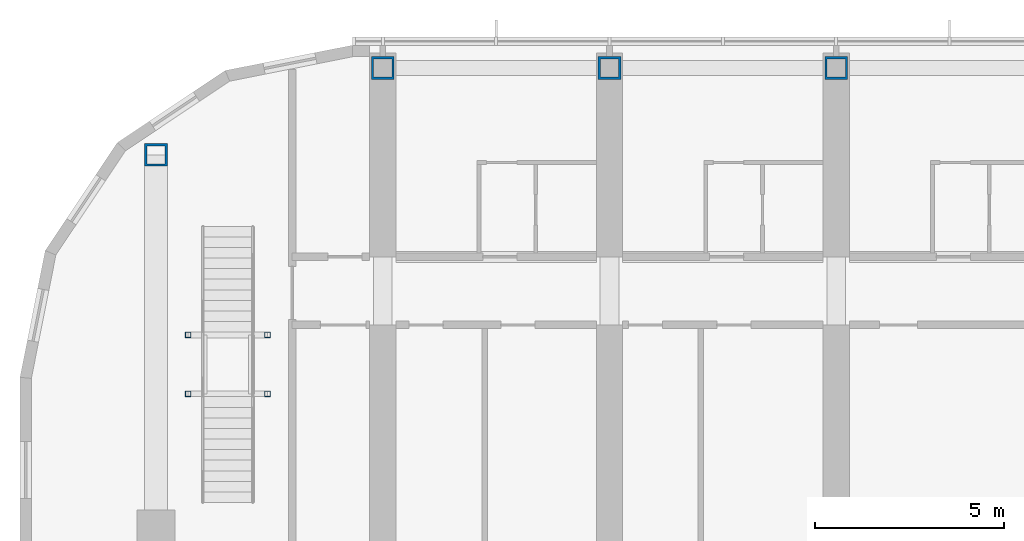
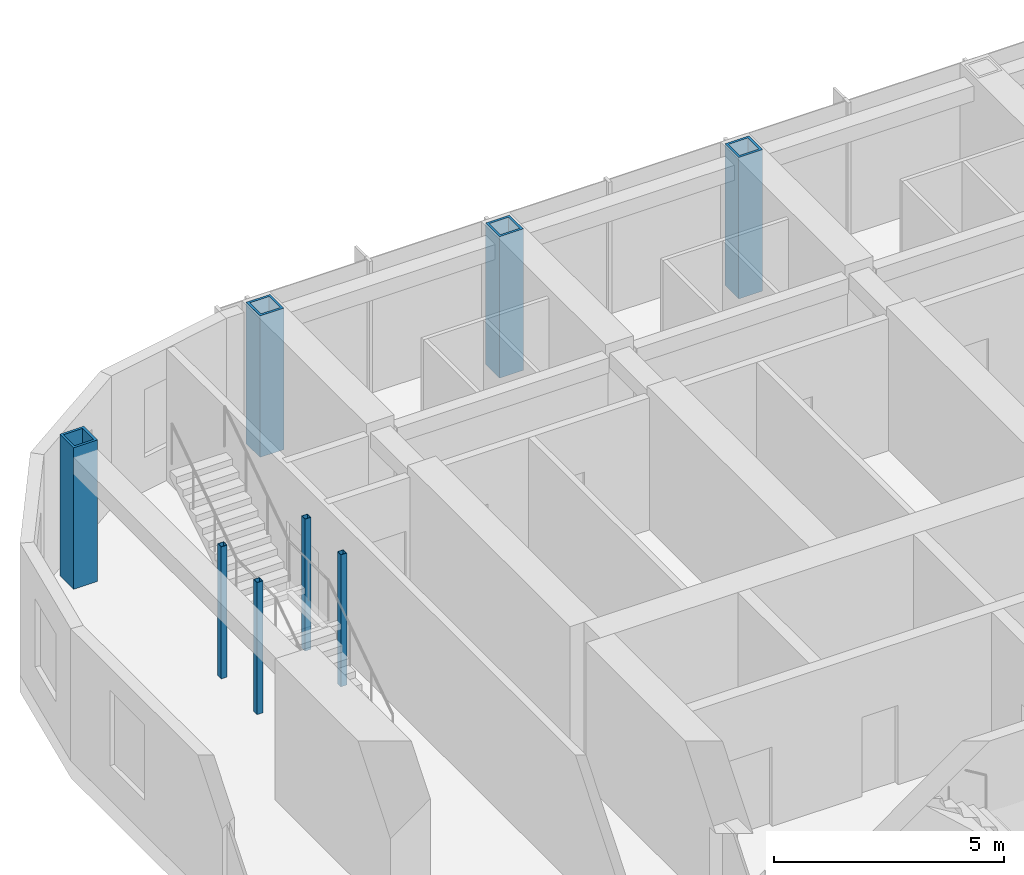
# One storey, part 2 of 27: 8 columns.
"""IFC4 building model written with IfcOpenShell, lengths in metres."""

from ifc_helpers import new_model, si_unit, direction, frame, origin, origin_2d, place, context, subcontext, project, spatial, hollow_rectangle, extrude, material, material_profile, profile_set, type_object, element, save


model = new_model("IFC4")

# Units and contexts
model_context = context("Model", 3, precision=1e-05, world=origin(), true_north=direction((0.0, 1.0)))
body_context = subcontext(model_context, "Body", "Model", "MODEL_VIEW")
ifc_project = project(units=[si_unit("LENGTHUNIT", "METRE"), si_unit("AREAUNIT", "SQUARE_METRE"), si_unit("VOLUMEUNIT", "CUBIC_METRE"), si_unit("PLANEANGLEUNIT", "RADIAN"), si_unit("MASSUNIT", "GRAM", prefix="KILO")], contexts=[model_context])

# Site, building, storey
site_placement = place(None, origin())
site = spatial("IfcSite", under=ifc_project, at=site_placement, CompositionType="ELEMENT")
building_placement = place(site_placement, origin())
building = spatial("IfcBuilding", under=site, at=building_placement, Name="Orbita Commons", CompositionType="ELEMENT")
storey_placement = place(building_placement, frame((0.0, 0.0, 246.550048828125)))
storey = spatial("IfcBuildingStorey", under=building, at=storey_placement, Name="L61", CompositionType="ELEMENT", Elevation=246.550048828125)

# Columns
ifc_material_1 = material(Name="Steel ASTM A992", Category="steel")
ifc_material_profile_1 = material_profile(ifc_material_1, hollow_rectangle(XDim=0.14990234375, YDim=0.14990234375, WallThickness=0.008056640625, at=origin_2d()), Name="SHS 150x150x8")
ifc_profile_set_1 = profile_set([ifc_material_profile_1], Name="Steel ASTM A992")
column_type_1 = type_object("IfcColumnType", Name="Landing post SHS 150x150x8", PredefinedType="COLUMN", material=ifc_profile_set_1)
for number, where, z_axis, x_axis, name in (
    (1, (12.85009765625, 43.77490234375, 0.0), (0.0, 0.0, 1.0), (1.0, 0.0, 0.0), "Neighbourhood stair L61 to L62 landing post 1"),
    (2, (14.949951171875, 43.77490234375, 0.0), (0.0, 0.0, 1.0), (1.0, 0.0, 0.0), "Neighbourhood stair L61 to L62 landing post 2"),
    (3, (12.85009765625, 45.3349609375, 0.0), (0.0, 0.0, 1.0), (1.0, 0.0, 0.0), "Neighbourhood stair L61 to L62 landing post 3"),
    (4, (14.949951171875, 45.3349609375, 0.0), (0.0, 0.0, 1.0), (1.0, 0.0, 0.0), "Neighbourhood stair L61 to L62 landing post 4"),
):
    element("IfcColumn", number, at=place(storey_placement, frame(where, z_axis=z_axis, x_axis=x_axis)), inside=storey, type_object=column_type_1, Name=name, PredefinedType="COLUMN", context=body_context, shape_type="SweptSolid", body=[
        extrude(hollow_rectangle(XDim=0.14990234375, YDim=0.14990234375, WallThickness=0.008056640625, at=origin_2d()), origin(), (0.0, 0.0, 1.0), 3.5),
    ])
ifc_material_2 = material(Name="Steel ASTM A572 Gr 50 welded plate", Category="steel")
ifc_material_profile_2 = material_profile(ifc_material_2, hollow_rectangle(XDim=0.60009765625, YDim=0.60009765625, WallThickness=0.06005859375, at=origin_2d()), Name="BOX 600x600x60")
ifc_profile_set_2 = profile_set([ifc_material_profile_2], Name="Steel ASTM A572 Gr 50 welded plate")
column_type_2 = type_object("IfcColumnType", Name="Steel column BOX 600x600x60", PredefinedType="COLUMN", material=ifc_profile_set_2)
for number, where, z_axis, x_axis, name in (
    (5, (18.0, 52.39990234375, 0.0), (0.0, 0.0, 1.0), (1.0, 0.0, 0.0), "Column 4/E L61"),
    (6, (24.0, 52.39990234375, 0.0), (0.0, 0.0, 1.0), (1.0, 0.0, 0.0), "Column 5/E L61"),
    (7, (30.0, 52.39990234375, 0.0), (0.0, 0.0, 1.0), (1.0, 0.0, 0.0), "Column 6/E L61"),
    (8, (12.0, 50.10009765625, 0.0), (0.0, 0.0, 1.0), (1.0, 0.0, 0.0), "Column 3/50.1 L61"),
):
    element("IfcColumn", number, at=place(storey_placement, frame(where, z_axis=z_axis, x_axis=x_axis)), inside=storey, type_object=column_type_2, Name=name, PredefinedType="COLUMN", context=body_context, shape_type="SweptSolid", body=[
        extrude(hollow_rectangle(XDim=0.60009765625, YDim=0.60009765625, WallThickness=0.06005859375, at=origin_2d()), origin(), (0.0, 0.0, 1.0), 3.75),
    ])

save(model, "model.ifc")
